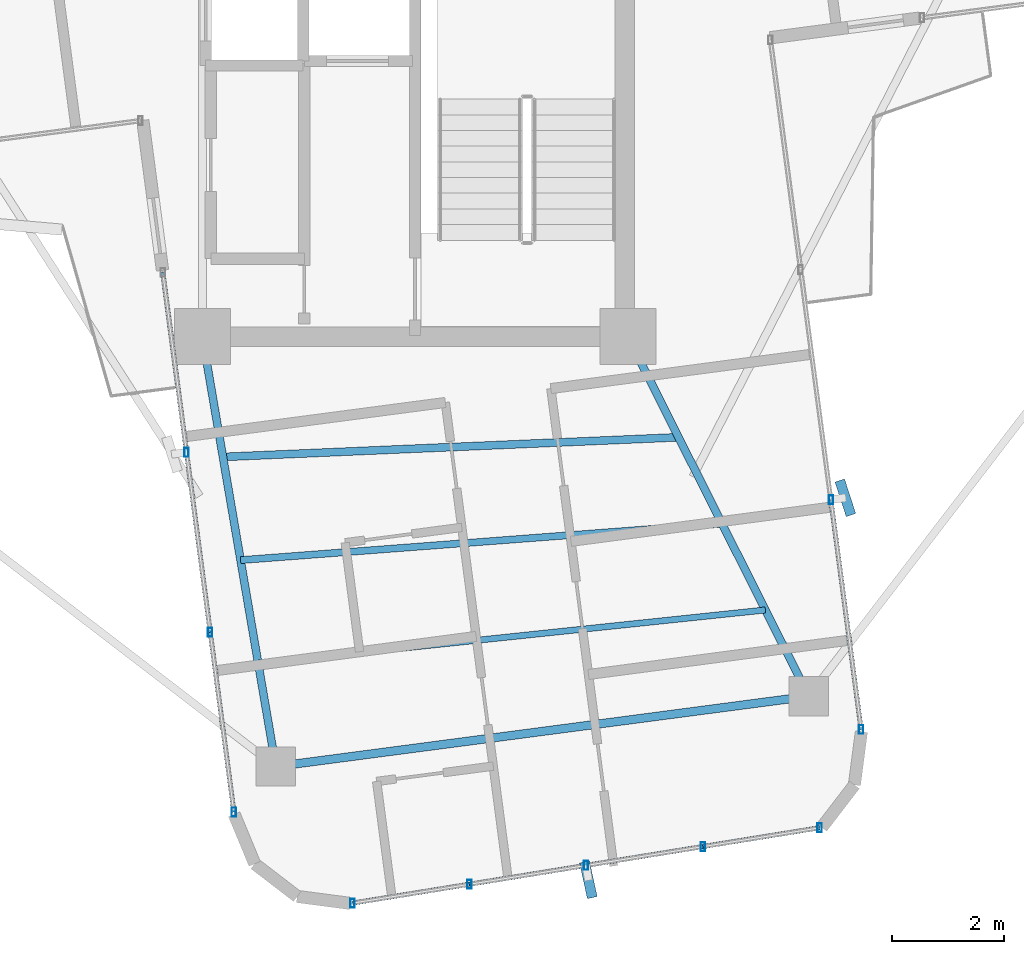
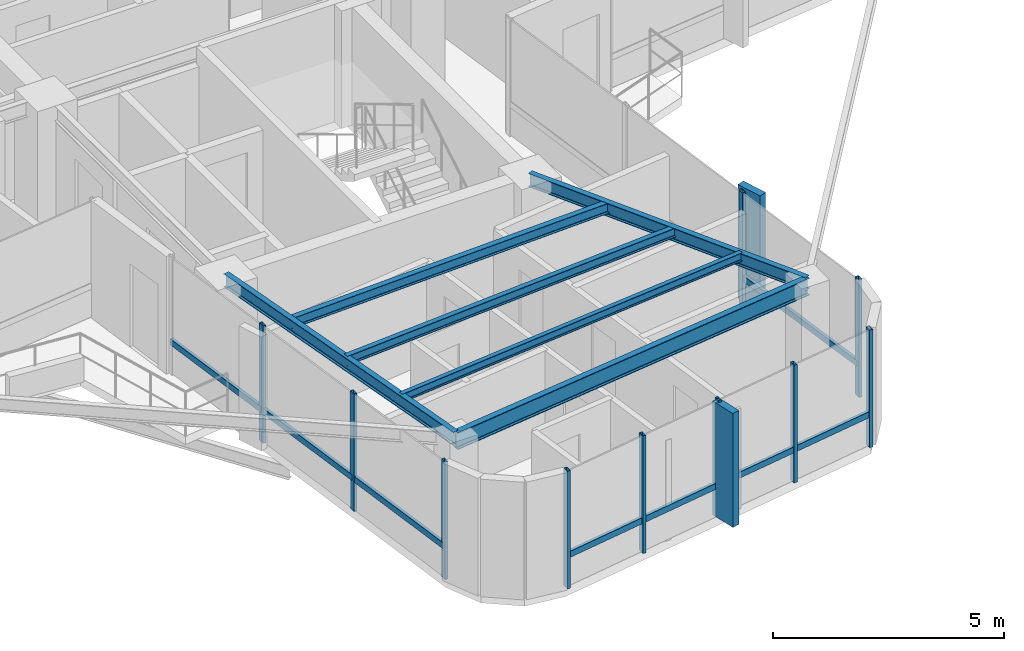
# One storey, part 4 of 22: 20 members, 6 beams, 3 elements without a shape of their own.
"""IFC4 building model written with IfcOpenShell, lengths in metres."""

from ifc_helpers import new_model, si_unit, direction, frame, origin, origin_2d, place, context, subcontext, project, spatial, rectangle, hollow_rectangle, i_section, extrude, source, transform, mapped, material, material_profile, profile_set, type_object, element, aggregate, save


model = new_model("IFC4")

# Units and contexts
model_context = context("Model", 3, precision=1e-05, world=origin(), true_north=direction((0.0, 1.0)))
body_context = subcontext(model_context, "Body", "Model", "MODEL_VIEW")
ifc_project = project(units=[si_unit("LENGTHUNIT", "METRE"), si_unit("AREAUNIT", "SQUARE_METRE"), si_unit("VOLUMEUNIT", "CUBIC_METRE"), si_unit("PLANEANGLEUNIT", "RADIAN"), si_unit("MASSUNIT", "GRAM", prefix="KILO")], contexts=[model_context])

# Site, building, storey
site_placement = place(None, origin())
site = spatial("IfcSite", under=ifc_project, at=site_placement, CompositionType="ELEMENT")
building_placement = place(site_placement, origin())
building = spatial("IfcBuilding", under=site, at=building_placement, Name="Sahyath Konkavel Grand Hotel", CompositionType="ELEMENT")
storey_placement = place(building_placement, frame((0.0, 0.0, 206.5)))
storey = spatial("IfcBuildingStorey", under=building, at=storey_placement, Name="L57", CompositionType="ELEMENT", Elevation=206.5)

# Beams
ifc_material_1 = material(Name="Steel E350", Category="steel")
ifc_material_profile_1 = material_profile(ifc_material_1, i_section(OverallWidth=0.139892578125, OverallDepth=0.35009765625, WebThickness=0.008056640625, FlangeThickness=0.01416015625, FilletRadius=0.013916015625, at=origin_2d()), Name="ISMB 350")
ifc_profile_set_1 = profile_set([ifc_material_profile_1], Name="Steel E350")
beam_type_1 = type_object("IfcBeamType", Name="BM-ISMB350", PredefinedType="BEAM", material=ifc_profile_set_1)
shared_shape_1 = source(origin(), body_context, "Body", "SweptSolid", [
    extrude(i_section(OverallWidth=0.139892578125, OverallDepth=0.35009765625, WebThickness=0.008056640625, FlangeThickness=0.01416015625, FilletRadius=0.013916015625, at=origin_2d()), origin(), (0.0, 0.0, 1.0), 7.7890625),
])
beam_1_placement = place(storey_placement, frame((-3.800048828125, -10.199951171875, 2.93505859375), z_axis=(0.168473997649, -0.985706098244, 0.0), x_axis=(0.985706098244, 0.168473997649, 0.0)))
element("IfcBeam", 1, at=beam_1_placement, inside=storey, type_object=beam_type_1, Name="L57 Cruciform Radial Girder SA", PredefinedType="BEAM", context=body_context, shape_type="MappedRepresentation", body=[
    mapped(shared_shape_1, transform((0.0, 0.0, 0.0), scale=1.0)),
])
shared_shape_2 = source(origin(), body_context, "Body", "SweptSolid", [
    extrude(i_section(OverallWidth=0.139892578125, OverallDepth=0.35009765625, WebThickness=0.008056640625, FlangeThickness=0.01416015625, FilletRadius=0.013916015625, at=origin_2d()), origin(), (0.0, 0.0, 1.0), 7.19091796875),
])
beam_2_placement = place(storey_placement, frame((3.800048828125, -10.199951171875, 2.93505859375), z_axis=(0.4491817134, -0.893440422383, 0.0), x_axis=(0.893440422383, 0.4491817134, 0.0)))
element("IfcBeam", 2, at=beam_2_placement, inside=storey, type_object=beam_type_1, Name="L57 Cruciform Radial Girder SB", PredefinedType="BEAM", context=body_context, shape_type="MappedRepresentation", body=[
    mapped(shared_shape_2, transform((0.0, 0.0, 0.0), scale=1.0)),
])
ifc_material_profile_2 = material_profile(ifc_material_1, i_section(OverallWidth=0.14990234375, OverallDepth=0.449951171875, WebThickness=0.009521484375, FlangeThickness=0.017333984375, FilletRadius=0.014892578125, at=origin_2d()), Name="ISMB 450")
ifc_profile_set_2 = profile_set([ifc_material_profile_2], Name="Steel E350")
beam_type_2 = type_object("IfcBeamType", Name="BM-ISMB450", PredefinedType="BEAM", material=ifc_profile_set_2)
shared_shape_3 = source(origin(), body_context, "Body", "SweptSolid", [
    extrude(i_section(OverallWidth=0.14990234375, OverallDepth=0.449951171875, WebThickness=0.009521484375, FlangeThickness=0.017333984375, FilletRadius=0.014892578125, at=origin_2d()), origin(), (0.0, 0.0, 1.0), 9.599853515625),
])
beam_3_placement = place(storey_placement, frame((-2.48779296875, -17.877685546875, 2.885009765625), z_axis=(0.991443125639, 0.130539375757, 0.0), x_axis=(-0.130539375757, 0.991443125639, 0.0)))
element("IfcBeam", 3, at=beam_3_placement, inside=storey, type_object=beam_type_2, Name="L57 Wing Tip Edge Beam S", PredefinedType="BEAM", context=body_context, shape_type="MappedRepresentation", body=[
    mapped(shared_shape_3, transform((0.0, 0.0, 0.0), scale=1.0)),
])
ifc_material_profile_3 = material_profile(ifc_material_1, i_section(OverallWidth=0.139892578125, OverallDepth=0.27490234375, WebThickness=0.00634765625, FlangeThickness=0.0087890625, FilletRadius=0.012939453125, at=origin_2d()), Name="ISLB 275")
ifc_profile_set_3 = profile_set([ifc_material_profile_3], Name="Steel E350")
beam_type_3 = type_object("IfcBeamType", Name="BM-ISLB275", PredefinedType="BEAM", material=ifc_profile_set_3)
shared_shape_4 = source(origin(), body_context, "Body", "SweptSolid", [
    extrude(i_section(OverallWidth=0.139892578125, OverallDepth=0.27490234375, WebThickness=0.00634765625, FlangeThickness=0.0087890625, FilletRadius=0.012939453125, at=origin_2d()), origin(), (0.0, 0.0, 1.0), 8.14453125),
])
beam_4_placement = place(storey_placement, frame((-3.4326171875, -12.349853515625, 2.972412109375), z_axis=(0.999070525707, 0.043105506195, 0.0), x_axis=(-0.043105506195, 0.999070525707, 0.0)))
element("IfcBeam", 4, at=beam_4_placement, inside=storey, type_object=beam_type_3, Name="L57 Secondary Floor Beam S-1", PredefinedType="BEAM", context=body_context, shape_type="MappedRepresentation", body=[
    mapped(shared_shape_4, transform((0.0, 0.0, 0.0), scale=1.0)),
])
ifc_material_profile_4 = material_profile(ifc_material_1, i_section(OverallWidth=0.125, OverallDepth=0.25, WebThickness=0.0068359375, FlangeThickness=0.012451171875, FilletRadius=0.012939453125, at=origin_2d()), Name="ISMB 250")
ifc_profile_set_4 = profile_set([ifc_material_profile_4], Name="Steel E350")
beam_type_4 = type_object("IfcBeamType", Name="BM-ISMB250", PredefinedType="BEAM", material=ifc_profile_set_4)
shared_shape_5 = source(origin(), body_context, "Body", "SweptSolid", [
    extrude(i_section(OverallWidth=0.125, OverallDepth=0.25, WebThickness=0.0068359375, FlangeThickness=0.012451171875, FilletRadius=0.012939453125, at=origin_2d()), origin(), (0.0, 0.0, 1.0), 8.6220703125),
])
beam_5_placement = place(storey_placement, frame((-3.11767578125, -14.1923828125, 2.985107421875), z_axis=(0.997140134449, 0.075574812405, 0.0), x_axis=(-0.075574812405, 0.997140134449, 0.0)))
element("IfcBeam", 5, at=beam_5_placement, inside=storey, type_object=beam_type_4, Name="L57 Secondary Floor Beam S-2", PredefinedType="BEAM", context=body_context, shape_type="MappedRepresentation", body=[
    mapped(shared_shape_5, transform((0.0, 0.0, 0.0), scale=1.0)),
])
ifc_material_profile_5 = material_profile(ifc_material_1, i_section(OverallWidth=0.110107421875, OverallDepth=0.22509765625, WebThickness=0.006591796875, FlangeThickness=0.01171875, FilletRadius=0.011962890625, at=origin_2d()), Name="ISMB 225")
ifc_profile_set_5 = profile_set([ifc_material_profile_5], Name="Steel E350")
beam_type_5 = type_object("IfcBeamType", Name="BM-ISMB225", PredefinedType="BEAM", material=ifc_profile_set_5)
shared_shape_6 = source(origin(), body_context, "Body", "SweptSolid", [
    extrude(i_section(OverallWidth=0.110107421875, OverallDepth=0.22509765625, WebThickness=0.006591796875, FlangeThickness=0.01171875, FilletRadius=0.011962890625, at=origin_2d()), origin(), (0.0, 0.0, 1.0), 9.107666015625),
])
beam_6_placement = place(storey_placement, frame((-2.802734375, -16.03515625, 2.99755859375), z_axis=(0.994517344132, 0.10457175632, 0.0), x_axis=(-0.10457175632, 0.994517344132, 0.0)))
element("IfcBeam", 6, at=beam_6_placement, inside=storey, type_object=beam_type_5, Name="L57 Secondary Floor Beam S-3", PredefinedType="BEAM", context=body_context, shape_type="MappedRepresentation", body=[
    mapped(shared_shape_6, transform((0.0, 0.0, 0.0), scale=1.0)),
])

# Curtain wall, member
ifc_material_2 = material(Name="Anodised Bronze Aluminium & Low-E Glazing", Category="aluminium")
curtain_wall_type = type_object("IfcCurtainWallType", Name="CW-ZONE4", PredefinedType="NOTDEFINED", material=ifc_material_2)
curtain_wall_1_placement = place(storey_placement, origin())
curtain_wall_1 = element("IfcCurtainWall", 7, at=curtain_wall_1_placement, inside=storey, type_object=curtain_wall_type, Name="L57 Unitised Curtain Wall F28", PredefinedType="NOTDEFINED")
ifc_material_3 = material(Name="Warm Buff Sandstone Cladding on Concrete C50/60", Category="masonry")
ifc_material_profile_6 = material_profile(ifc_material_3, rectangle(XDim=0.179931640625, YDim=0.64990234375, at=origin_2d()), Name="FIN 180x650")
ifc_profile_set_6 = profile_set([ifc_material_profile_6], Name="Warm Buff Sandstone Cladding on Concrete C50/60")
member_type_1 = type_object("IfcMemberType", Name="FIN-SANDSTONE-650", PredefinedType="MULLION", material=ifc_profile_set_6)
shared_shape_7 = source(origin(), body_context, "Body", "SweptSolid", [
    extrude(rectangle(XDim=0.179931640625, YDim=0.64990234375, at=origin_2d()), origin(), (0.0, 0.0, 1.0), 3.010009765625),
])
member_1_placement = place(storey_placement, frame((3.09423828125, -19.90234375, 0.050048828125), z_axis=(0.0, 0.0, 1.0), x_axis=(0.976971153279, 0.213371426534, 0.0)))
member_1 = element("IfcMember", 8, at=member_1_placement, type_object=member_type_1, Name="L57 Sandstone Vertical Solar Fin FIN F28-2", PredefinedType="MULLION", context=body_context, shape_type="MappedRepresentation", body=[
    mapped(shared_shape_7, transform((0.0, 0.0, 0.0), scale=1.0)),
])

curtain_wall_2_placement = place(storey_placement, origin())
curtain_wall_2 = element("IfcCurtainWall", 9, at=curtain_wall_2_placement, inside=storey, type_object=curtain_wall_type, Name="L57 Unitised Curtain Wall F31", PredefinedType="NOTDEFINED")
member_2_placement = place(storey_placement, frame((7.682861328125, -13.0791015625, 0.050048828125), z_axis=(0.0, 0.0, 1.0), x_axis=(0.951110435449, 0.308850998993, 0.0)))
member_2 = element("IfcMember", 10, at=member_2_placement, type_object=member_type_1, Name="L57 Sandstone Vertical Solar Fin FIN F31-1", PredefinedType="MULLION", context=body_context, shape_type="MappedRepresentation", body=[
    mapped(shared_shape_7, transform((0.0, 0.0, 0.0), scale=1.0)),
])

# Curtain wall, members
curtain_wall_3_placement = place(storey_placement, origin())
curtain_wall_3 = element("IfcCurtainWall", 11, at=curtain_wall_3_placement, inside=storey, type_object=curtain_wall_type, Name="L57 Unitised Curtain Wall F24", PredefinedType="NOTDEFINED")
ifc_material_4 = material(Name="Anodised Bronze Aluminium", Category="aluminium")
ifc_material_profile_7 = material_profile(ifc_material_4, hollow_rectangle(XDim=0.080078125, YDim=0.159912109375, WallThickness=0.006103515625, at=origin_2d()), Name="RHS 160x80x6")
ifc_profile_set_7 = profile_set([ifc_material_profile_7], Name="Anodised Bronze Aluminium")
member_type_2 = type_object("IfcMemberType", Name="CW-MUL-160", PredefinedType="MULLION", material=ifc_profile_set_7)
shared_shape_8 = source(origin(), body_context, "Body", "SweptSolid", [
    extrude(hollow_rectangle(XDim=0.080078125, YDim=0.159912109375, WallThickness=0.006103515625, at=origin_2d()), origin(), (0.0, 0.0, 1.0), 3.110107421875),
])
member_3_placement = place(storey_placement, frame((-4.083740234375, -12.26806640625, 0.0), z_axis=(0.0, 0.0, 1.0), x_axis=(1.0, 0.0, 0.0)))
member_3 = element("IfcMember", 12, at=member_3_placement, type_object=member_type_2, Name="L57 Curtain Wall Mullion F24-1", PredefinedType="MULLION", context=body_context, shape_type="MappedRepresentation", body=[
    mapped(shared_shape_8, transform((0.0, 0.0, 0.0), scale=1.0)),
])
member_4_placement = place(storey_placement, frame((-3.66064453125, -15.480224609375, 0.0), z_axis=(0.0, 0.0, 1.0), x_axis=(1.0, 0.0, 0.0)))
member_4 = element("IfcMember", 13, at=member_4_placement, type_object=member_type_2, Name="L57 Curtain Wall Mullion F24-2", PredefinedType="MULLION", context=body_context, shape_type="MappedRepresentation", body=[
    mapped(shared_shape_8, transform((0.0, 0.0, 0.0), scale=1.0)),
])
member_5_placement = place(storey_placement, frame((-3.23779296875, -18.6923828125, 0.0), z_axis=(0.0, 0.0, 1.0), x_axis=(1.0, 0.0, 0.0)))
member_5 = element("IfcMember", 14, at=member_5_placement, type_object=member_type_2, Name="L57 Curtain Wall Mullion F24-3", PredefinedType="MULLION", context=body_context, shape_type="MappedRepresentation", body=[
    mapped(shared_shape_8, transform((0.0, 0.0, 0.0), scale=1.0)),
])

# Member
member_6_placement = place(storey_placement, frame((-1.117431640625, -20.318603515625, 0.0), z_axis=(0.0, 0.0, 1.0), x_axis=(1.0, 0.0, 0.0)))
member_6 = element("IfcMember", 15, at=member_6_placement, type_object=member_type_2, Name="L57 Curtain Wall Mullion F28-0", PredefinedType="MULLION", context=body_context, shape_type="MappedRepresentation", body=[
    mapped(shared_shape_8, transform((0.0, 0.0, 0.0), scale=1.0)),
])

member_7_placement = place(storey_placement, frame((0.9677734375, -19.982177734375, 0.0), z_axis=(0.0, 0.0, 1.0), x_axis=(1.0, 0.0, 0.0)))
member_7 = element("IfcMember", 16, at=member_7_placement, type_object=member_type_2, Name="L57 Curtain Wall Mullion F28-1", PredefinedType="MULLION", context=body_context, shape_type="MappedRepresentation", body=[
    mapped(shared_shape_8, transform((0.0, 0.0, 0.0), scale=1.0)),
])

member_8_placement = place(storey_placement, frame((3.052734375, -19.6455078125, 0.0), z_axis=(0.0, 0.0, 1.0), x_axis=(1.0, 0.0, 0.0)))
member_8 = element("IfcMember", 17, at=member_8_placement, type_object=member_type_2, Name="L57 Curtain Wall Mullion F28-2", PredefinedType="MULLION", context=body_context, shape_type="MappedRepresentation", body=[
    mapped(shared_shape_8, transform((0.0, 0.0, 0.0), scale=1.0)),
])

member_9_placement = place(storey_placement, frame((5.137939453125, -19.30908203125, 0.0), z_axis=(0.0, 0.0, 1.0), x_axis=(1.0, 0.0, 0.0)))
member_9 = element("IfcMember", 18, at=member_9_placement, type_object=member_type_2, Name="L57 Curtain Wall Mullion F28-3", PredefinedType="MULLION", context=body_context, shape_type="MappedRepresentation", body=[
    mapped(shared_shape_8, transform((0.0, 0.0, 0.0), scale=1.0)),
])

member_10_placement = place(storey_placement, frame((7.22314453125, -18.972900390625, 0.0), z_axis=(0.0, 0.0, 1.0), x_axis=(1.0, 0.0, 0.0)))
member_10 = element("IfcMember", 19, at=member_10_placement, type_object=member_type_2, Name="L57 Curtain Wall Mullion F28-4", PredefinedType="MULLION", context=body_context, shape_type="MappedRepresentation", body=[
    mapped(shared_shape_8, transform((0.0, 0.0, 0.0), scale=1.0)),
])

member_11_placement = place(storey_placement, frame((7.965576171875, -17.217529296875, 0.0), z_axis=(0.0, 0.0, 1.0), x_axis=(1.0, 0.0, 0.0)))
member_11 = element("IfcMember", 20, at=member_11_placement, type_object=member_type_2, Name="L57 Curtain Wall Mullion F31-0", PredefinedType="MULLION", context=body_context, shape_type="MappedRepresentation", body=[
    mapped(shared_shape_8, transform((0.0, 0.0, 0.0), scale=1.0)),
])

member_12_placement = place(storey_placement, frame((7.425048828125, -13.113037109375, 0.0), z_axis=(0.0, 0.0, 1.0), x_axis=(1.0, 0.0, 0.0)))
member_12 = element("IfcMember", 21, at=member_12_placement, type_object=member_type_2, Name="L57 Curtain Wall Mullion F31-1", PredefinedType="MULLION", context=body_context, shape_type="MappedRepresentation", body=[
    mapped(shared_shape_8, transform((0.0, 0.0, 0.0), scale=1.0)),
])

ifc_material_profile_8 = material_profile(ifc_material_4, hollow_rectangle(XDim=0.080078125, YDim=0.159912109375, WallThickness=0.006103515625, at=origin_2d()), Name="RHS 160x80x6")
ifc_profile_set_8 = profile_set([ifc_material_profile_8], Name="Anodised Bronze Aluminium")
member_type_3 = type_object("IfcMemberType", Name="CW-TRN-160", PredefinedType="USERDEFINED", material=ifc_profile_set_8)
shared_shape_9 = source(origin(), body_context, "Body", "SweptSolid", [
    extrude(hollow_rectangle(XDim=0.080078125, YDim=0.159912109375, WallThickness=0.006103515625, at=origin_2d()), origin(), (0.0, 0.0, 1.0), 3.240234375),
])
member_13_placement = place(storey_placement, frame((-4.506591796875, -9.0556640625, 0.85009765625), z_axis=(0.130505189885, -0.991447626157, 0.0), x_axis=(0.991447626157, 0.130505189885, 0.0)))
member_13 = element("IfcMember", 22, at=member_13_placement, type_object=member_type_3, Name="L57 Curtain Wall Transom F24-0-spandrel", ObjectType="TRANSOM", PredefinedType="USERDEFINED", context=body_context, shape_type="MappedRepresentation", body=[
    mapped(shared_shape_9, transform((0.0, 0.0, 0.0), scale=1.0)),
])

shared_shape_10 = source(origin(), body_context, "Body", "SweptSolid", [
    extrude(hollow_rectangle(XDim=0.080078125, YDim=0.159912109375, WallThickness=0.006103515625, at=origin_2d()), origin(), (0.0, 0.0, 1.0), 3.239990234375),
])
member_14_placement = place(storey_placement, frame((-4.083740234375, -12.26806640625, 0.85009765625), z_axis=(0.130589010341, -0.991436589187, 0.0), x_axis=(0.991436589187, 0.130589010341, 0.0)))
member_14 = element("IfcMember", 23, at=member_14_placement, type_object=member_type_3, Name="L57 Curtain Wall Transom F24-1-spandrel", ObjectType="TRANSOM", PredefinedType="USERDEFINED", context=body_context, shape_type="MappedRepresentation", body=[
    mapped(shared_shape_10, transform((0.0, 0.0, 0.0), scale=1.0)),
])

member_15_placement = place(storey_placement, frame((-3.66064453125, -15.480224609375, 0.85009765625), z_axis=(0.130514939997, -0.991446342692, 0.0), x_axis=(0.991446342692, 0.130514939997, 0.0)))
member_15 = element("IfcMember", 24, at=member_15_placement, type_object=member_type_3, Name="L57 Curtain Wall Transom F24-2-spandrel", ObjectType="TRANSOM", PredefinedType="USERDEFINED", context=body_context, shape_type="MappedRepresentation", body=[
    mapped(shared_shape_10, transform((0.0, 0.0, 0.0), scale=1.0)),
])

aggregate(curtain_wall_3, [member_3, member_4, member_5, member_13, member_14, member_15])

shared_shape_11 = source(origin(), body_context, "Body", "SweptSolid", [
    extrude(hollow_rectangle(XDim=0.080078125, YDim=0.159912109375, WallThickness=0.006103515625, at=origin_2d()), origin(), (0.0, 0.0, 1.0), 2.112060546875),
])
member_16_placement = place(storey_placement, frame((-1.117431640625, -20.318603515625, 0.85009765625), z_axis=(0.987233499712, 0.159279681841, 0.0), x_axis=(-0.159279681841, 0.987233499712, 0.0)))
member_16 = element("IfcMember", 25, at=member_16_placement, type_object=member_type_3, Name="L57 Curtain Wall Transom F28-0-spandrel", ObjectType="TRANSOM", PredefinedType="USERDEFINED", context=body_context, shape_type="MappedRepresentation", body=[
    mapped(shared_shape_11, transform((0.0, 0.0, 0.0), scale=1.0)),
])

member_17_placement = place(storey_placement, frame((0.9677734375, -19.982177734375, 0.85009765625), z_axis=(0.98721238085, 0.159410523793, 0.0), x_axis=(-0.159410523793, 0.98721238085, 0.0)))
member_17 = element("IfcMember", 26, at=member_17_placement, type_object=member_type_3, Name="L57 Curtain Wall Transom F28-1-spandrel", ObjectType="TRANSOM", PredefinedType="USERDEFINED", context=body_context, shape_type="MappedRepresentation", body=[
    mapped(shared_shape_11, transform((0.0, 0.0, 0.0), scale=1.0)),
])

member_18_placement = place(storey_placement, frame((3.052734375, -19.6455078125, 0.85009765625), z_axis=(0.987233499712, 0.159279681841, 0.0), x_axis=(-0.159279681841, 0.987233499712, 0.0)))
member_18 = element("IfcMember", 27, at=member_18_placement, type_object=member_type_3, Name="L57 Curtain Wall Transom F28-2-spandrel", ObjectType="TRANSOM", PredefinedType="USERDEFINED", context=body_context, shape_type="MappedRepresentation", body=[
    mapped(shared_shape_11, transform((0.0, 0.0, 0.0), scale=1.0)),
])

member_19_placement = place(storey_placement, frame((5.137939453125, -19.30908203125, 0.85009765625), z_axis=(0.98725166933, 0.159167023612, 0.0), x_axis=(-0.159167023612, 0.98725166933, 0.0)))
member_19 = element("IfcMember", 28, at=member_19_placement, type_object=member_type_3, Name="L57 Curtain Wall Transom F28-3-spandrel", ObjectType="TRANSOM", PredefinedType="USERDEFINED", context=body_context, shape_type="MappedRepresentation", body=[
    mapped(shared_shape_11, transform((0.0, 0.0, 0.0), scale=1.0)),
])

aggregate(curtain_wall_1, [member_6, member_7, member_8, member_1, member_9, member_10, member_16, member_17, member_18, member_19])

shared_shape_12 = source(origin(), body_context, "Body", "SweptSolid", [
    extrude(hollow_rectangle(XDim=0.080078125, YDim=0.159912109375, WallThickness=0.006103515625, at=origin_2d()), origin(), (0.0, 0.0, 1.0), 4.139892578125),
])
member_20_placement = place(storey_placement, frame((7.965576171875, -17.217529296875, 0.85009765625), z_axis=(-0.130564346904, 0.991439837467, 0.0), x_axis=(-0.991439837467, -0.130564346904, 0.0)))
member_20 = element("IfcMember", 29, at=member_20_placement, type_object=member_type_3, Name="L57 Curtain Wall Transom F31-0-spandrel", ObjectType="TRANSOM", PredefinedType="USERDEFINED", context=body_context, shape_type="MappedRepresentation", body=[
    mapped(shared_shape_12, transform((0.0, 0.0, 0.0), scale=1.0)),
])

aggregate(curtain_wall_2, [member_11, member_12, member_2, member_20])

save(model, "model.ifc")
